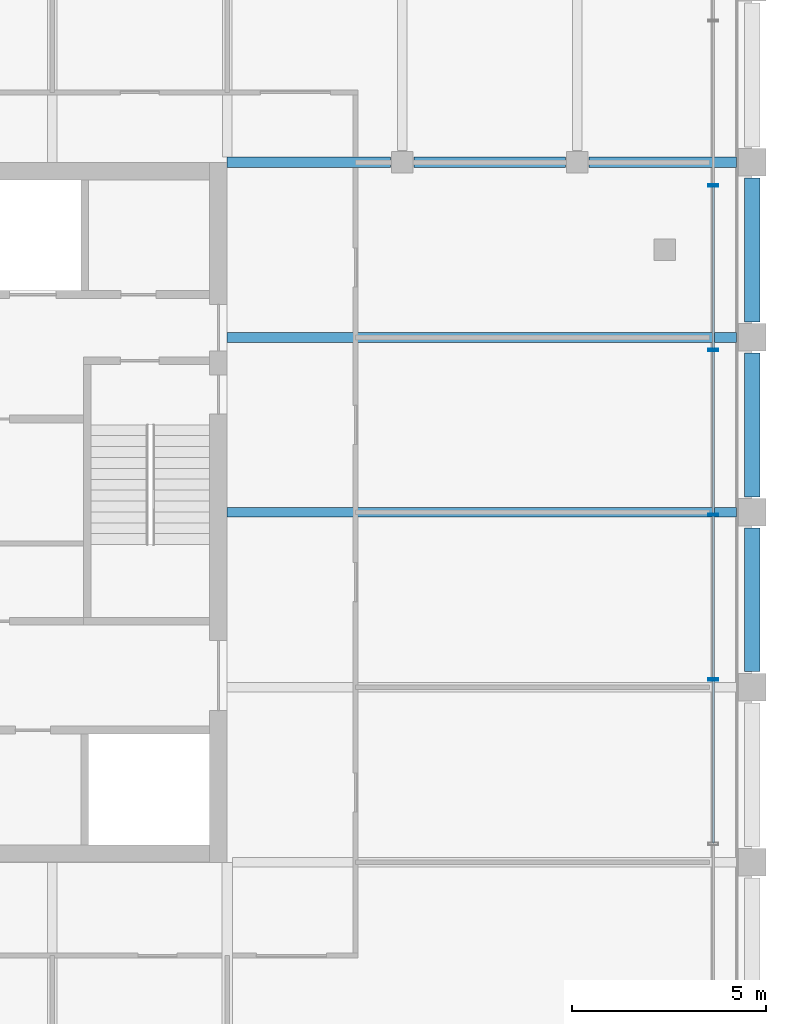
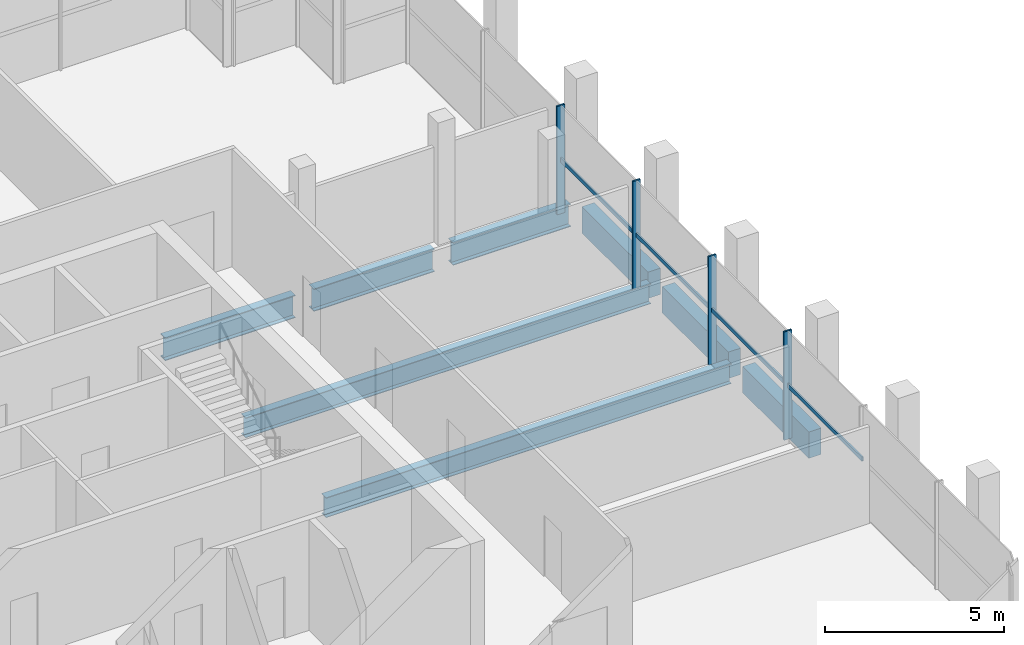
# One storey, part 9 of 17: 8 beams, 8 members, 1 element without a shape of its own.
"""IFC4 building model written with IfcOpenShell, lengths in metres."""

from ifc_helpers import new_model, si_unit, direction, frame, origin, origin_2d, place, context, subcontext, project, spatial, rectangle, hollow_rectangle, i_section, extrude, material, material_profile, profile_set, type_object, element, aggregate, save


model = new_model("IFC4")

# Units and contexts
model_context = context("Model", 3, precision=1e-05, world=origin(), true_north=direction((0.0, 1.0)))
body_context = subcontext(model_context, "Body", "Model", "MODEL_VIEW")
ifc_project = project(units=[si_unit("LENGTHUNIT", "METRE"), si_unit("AREAUNIT", "SQUARE_METRE"), si_unit("VOLUMEUNIT", "CUBIC_METRE"), si_unit("PLANEANGLEUNIT", "RADIAN"), si_unit("MASSUNIT", "GRAM", prefix="KILO")], contexts=[model_context])

# Site, building, storey
site_placement = place(None, origin())
site = spatial("IfcSite", under=ifc_project, at=site_placement, CompositionType="ELEMENT")
building_placement = place(site_placement, origin())
building = spatial("IfcBuilding", under=site, at=building_placement, Name="Altepetl Exchange Towers", CompositionType="ELEMENT")
storey_placement = place(building_placement, frame((0.0, 0.0, 251.0)))
storey = spatial("IfcBuildingStorey", under=building, at=storey_placement, Name="L64", CompositionType="ELEMENT", Elevation=251.0)

# Beams
ifc_material_1 = material(Name="Steel S355", Category="steel")
ifc_material_profile_1 = material_profile(ifc_material_1, i_section(OverallWidth=0.25390625, OverallDepth=0.68408203125, WebThickness=0.012451171875, FlangeThickness=0.018798828125, at=origin_2d()), Name="W27X94")
ifc_profile_set_1 = profile_set([ifc_material_profile_1], Name="Steel S355")
beam_type_1 = type_object("IfcBeamType", Name="Floor beam W27X94", PredefinedType="BEAM", material=ifc_profile_set_1)
for number, where, z_axis, x_axis, name in (
    (1, (58.5, 49.5, -0.51708984375), (1.0, 0.0, 0.0), (0.0, 1.0, 0.0), "bm:A:L64:010"),
    (2, (58.5, 54.0, -0.51708984375), (1.0, 0.0, 0.0), (0.0, 1.0, 0.0), "bm:A:L64:011"),
):
    element("IfcBeam", number, at=place(storey_placement, frame(where, z_axis=z_axis, x_axis=x_axis)), inside=storey, type_object=beam_type_1, Name=name, PredefinedType="BEAM", context=body_context, shape_type="SweptSolid", body=[
        extrude(i_section(OverallWidth=0.25390625, OverallDepth=0.68408203125, WebThickness=0.012451171875, FlangeThickness=0.018798828125, at=origin_2d()), origin(), (0.0, 0.0, 1.0), 13.10009765625),
    ])
ifc_material_profile_2 = material_profile(ifc_material_1, i_section(OverallWidth=0.26806640625, OverallDepth=0.77392578125, WebThickness=0.015380859375, FlangeThickness=0.025390625, at=origin_2d()), Name="W30X132")
ifc_profile_set_2 = profile_set([ifc_material_profile_2], Name="Steel S355")
beam_type_2 = type_object("IfcBeamType", Name="Girder W30X132", PredefinedType="BEAM", material=ifc_profile_set_2)
beam_1_placement = place(storey_placement, frame((58.5, 58.5, -0.56201171875), z_axis=(1.0, 0.0, 0.0), x_axis=(0.0, 1.0, 0.0)))
element("IfcBeam", 3, at=beam_1_placement, inside=storey, type_object=beam_type_2, Name="gd:A:L64:000", PredefinedType="BEAM", context=body_context, shape_type="SweptSolid", body=[
    extrude(i_section(OverallWidth=0.26806640625, OverallDepth=0.77392578125, WebThickness=0.015380859375, FlangeThickness=0.025390625, at=origin_2d()), origin(), (0.0, 0.0, 1.0), 4.199951171875),
])
beam_2_placement = place(storey_placement, frame((63.300048828125, 58.5, -0.56201171875), z_axis=(1.0, 0.0, 0.0), x_axis=(0.0, 1.0, 0.0)))
element("IfcBeam", 4, at=beam_2_placement, inside=storey, type_object=beam_type_2, Name="gd:A:L64:001", PredefinedType="BEAM", context=body_context, shape_type="SweptSolid", body=[
    extrude(i_section(OverallWidth=0.26806640625, OverallDepth=0.77392578125, WebThickness=0.015380859375, FlangeThickness=0.025390625, at=origin_2d()), origin(), (0.0, 0.0, 1.0), 3.89990234375),
])
beam_3_placement = place(storey_placement, frame((67.800048828125, 58.5, -0.56201171875), z_axis=(1.0, 0.0, 0.0), x_axis=(0.0, 1.0, 0.0)))
element("IfcBeam", 5, at=beam_3_placement, inside=storey, type_object=beam_type_2, Name="gd:A:L64:002", PredefinedType="BEAM", context=body_context, shape_type="SweptSolid", body=[
    extrude(i_section(OverallWidth=0.26806640625, OverallDepth=0.77392578125, WebThickness=0.015380859375, FlangeThickness=0.025390625, at=origin_2d()), origin(), (0.0, 0.0, 1.0), 3.800048828125),
])

# Curtain wall, members
ifc_material_2 = material(Name="Aluminium 6063-T6 glazing", Category="aluminium")
curtain_wall_type = type_object("IfcCurtainWallType", Name="Executive flush glazing system", PredefinedType="NOTDEFINED", material=ifc_material_2)
curtain_wall_placement = place(storey_placement, origin())
curtain_wall = element("IfcCurtainWall", 6, at=curtain_wall_placement, inside=storey, type_object=curtain_wall_type, Name="CW4 run", PredefinedType="NOTDEFINED")
ifc_material_3 = material(Name="Aluminium 6063-T6", Category="aluminium")
ifc_material_profile_3 = material_profile(ifc_material_3, hollow_rectangle(XDim=0.06005859375, YDim=0.25, WallThickness=0.0029296875, at=origin_2d()), Name="Mullion 60x250 hollow aluminium")
ifc_profile_set_3 = profile_set([ifc_material_profile_3], Name="Aluminium 6063-T6")
member_type_1 = type_object("IfcMemberType", Name="Mullion 60x250 hollow aluminium", PredefinedType="MULLION", material=ifc_profile_set_3)
member_1_placement = place(storey_placement, frame((71.0, 45.203125, 0.0), z_axis=(0.0, 0.0, 1.0), x_axis=(0.0, 1.0, 0.0)))
member_1 = element("IfcMember", 7, at=member_1_placement, type_object=member_type_1, Name="MU3 mullion", PredefinedType="MULLION", context=body_context, shape_type="SweptSolid", body=[
    extrude(hollow_rectangle(XDim=0.06005859375, YDim=0.25, WallThickness=0.0029296875, at=origin_2d()), origin(), (0.0, 0.0, 1.0), 3.699951171875),
])
member_2_placement = place(storey_placement, frame((71.0, 49.4375, 0.0), z_axis=(0.0, 0.0, 1.0), x_axis=(0.0, 1.0, 0.0)))
member_2 = element("IfcMember", 8, at=member_2_placement, type_object=member_type_1, Name="MU3 mullion", PredefinedType="MULLION", context=body_context, shape_type="SweptSolid", body=[
    extrude(hollow_rectangle(XDim=0.06005859375, YDim=0.25, WallThickness=0.0029296875, at=origin_2d()), origin(), (0.0, 0.0, 1.0), 3.699951171875),
])
member_3_placement = place(storey_placement, frame((71.0, 53.671875, 0.0), z_axis=(0.0, 0.0, 1.0), x_axis=(0.0, 1.0, 0.0)))
member_3 = element("IfcMember", 9, at=member_3_placement, type_object=member_type_1, Name="MU3 mullion", PredefinedType="MULLION", context=body_context, shape_type="SweptSolid", body=[
    extrude(hollow_rectangle(XDim=0.06005859375, YDim=0.25, WallThickness=0.0029296875, at=origin_2d()), origin(), (0.0, 0.0, 1.0), 3.699951171875),
])
member_4_placement = place(storey_placement, frame((71.0, 57.90625, 0.0), z_axis=(0.0, 0.0, 1.0), x_axis=(0.0, 1.0, 0.0)))
member_4 = element("IfcMember", 10, at=member_4_placement, type_object=member_type_1, Name="MU3 mullion", PredefinedType="MULLION", context=body_context, shape_type="SweptSolid", body=[
    extrude(hollow_rectangle(XDim=0.06005859375, YDim=0.25, WallThickness=0.0029296875, at=origin_2d()), origin(), (0.0, 0.0, 1.0), 3.699951171875),
])

# Beams
ifc_material_4 = material(Name="Concrete C50/60 precast with cantera amarilla facing", Category="concrete")
ifc_material_profile_4 = material_profile(ifc_material_4, rectangle(XDim=0.39990234375, YDim=0.89990234375, at=origin_2d()), Name="400 x 900")
ifc_profile_set_4 = profile_set([ifc_material_profile_4], Name="Concrete C50/60 precast with cantera amarilla facing")
beam_type_3 = type_object("IfcBeamType", Name="Spandrel beam 400x900 cantera amarilla", PredefinedType="SPANDREL", material=ifc_profile_set_4)
for number, where, z_axis, x_axis, name in (
    (11, (72.0, 45.39990234375, -0.625), (0.0, 1.0, 0.0), (-1.0, 0.0, 0.0), "sp:A:L64:015"),
    (12, (72.0, 49.89990234375, -0.625), (0.0, 1.0, 0.0), (-1.0, 0.0, 0.0), "sp:A:L64:016"),
    (13, (72.0, 54.39990234375, -0.625), (0.0, 1.0, 0.0), (-1.0, 0.0, 0.0), "sp:A:L64:017"),
):
    element("IfcBeam", number, at=place(storey_placement, frame(where, z_axis=z_axis, x_axis=x_axis)), inside=storey, type_object=beam_type_3, Name=name, PredefinedType="SPANDREL", context=body_context, shape_type="SweptSolid", body=[
        extrude(rectangle(XDim=0.39990234375, YDim=0.89990234375, at=origin_2d()), origin(), (0.0, 0.0, 1.0), 3.7001953125),
    ])

# Member
ifc_material_profile_5 = material_profile(ifc_material_3, hollow_rectangle(XDim=0.050048828125, YDim=0.139892578125, WallThickness=0.0029296875, at=origin_2d()), Name="Transom 50x140 hollow aluminium")
ifc_profile_set_5 = profile_set([ifc_material_profile_5], Name="Aluminium 6063-T6")
member_type_2 = type_object("IfcMemberType", Name="Transom 50x140 hollow aluminium", PredefinedType="USERDEFINED", material=ifc_profile_set_5)
member_5_placement = place(storey_placement, frame((71.0, 40.998779296875, 1.85009765625), z_axis=(0.0, 1.0, 0.0), x_axis=(-1.0, 0.0, 0.0)))
member_5 = element("IfcMember", 14, at=member_5_placement, type_object=member_type_2, Name="TR2 transom", ObjectType="TRANSOM", PredefinedType="USERDEFINED", context=body_context, shape_type="SweptSolid", body=[
    extrude(hollow_rectangle(XDim=0.050048828125, YDim=0.139892578125, WallThickness=0.0029296875, at=origin_2d()), origin(), (0.0, 0.0, 1.0), 4.17431640625),
])

member_6_placement = place(storey_placement, frame((71.0, 45.233154296875, 1.85009765625), z_axis=(0.0, 1.0, 0.0), x_axis=(-1.0, 0.0, 0.0)))
member_6 = element("IfcMember", 15, at=member_6_placement, type_object=member_type_2, Name="TR2 transom", ObjectType="TRANSOM", PredefinedType="USERDEFINED", context=body_context, shape_type="SweptSolid", body=[
    extrude(hollow_rectangle(XDim=0.050048828125, YDim=0.139892578125, WallThickness=0.0029296875, at=origin_2d()), origin(), (0.0, 0.0, 1.0), 4.17431640625),
])

member_7_placement = place(storey_placement, frame((71.0, 49.467529296875, 1.85009765625), z_axis=(0.0, 1.0, 0.0), x_axis=(-1.0, 0.0, 0.0)))
member_7 = element("IfcMember", 16, at=member_7_placement, type_object=member_type_2, Name="TR2 transom", ObjectType="TRANSOM", PredefinedType="USERDEFINED", context=body_context, shape_type="SweptSolid", body=[
    extrude(hollow_rectangle(XDim=0.050048828125, YDim=0.139892578125, WallThickness=0.0029296875, at=origin_2d()), origin(), (0.0, 0.0, 1.0), 4.17431640625),
])

member_8_placement = place(storey_placement, frame((71.0, 53.701904296875, 1.85009765625), z_axis=(0.0, 1.0, 0.0), x_axis=(-1.0, 0.0, 0.0)))
member_8 = element("IfcMember", 17, at=member_8_placement, type_object=member_type_2, Name="TR2 transom", ObjectType="TRANSOM", PredefinedType="USERDEFINED", context=body_context, shape_type="SweptSolid", body=[
    extrude(hollow_rectangle(XDim=0.050048828125, YDim=0.139892578125, WallThickness=0.0029296875, at=origin_2d()), origin(), (0.0, 0.0, 1.0), 4.17431640625),
])

aggregate(curtain_wall, [member_1, member_2, member_3, member_4, member_5, member_6, member_7, member_8])

save(model, "model.ifc")
